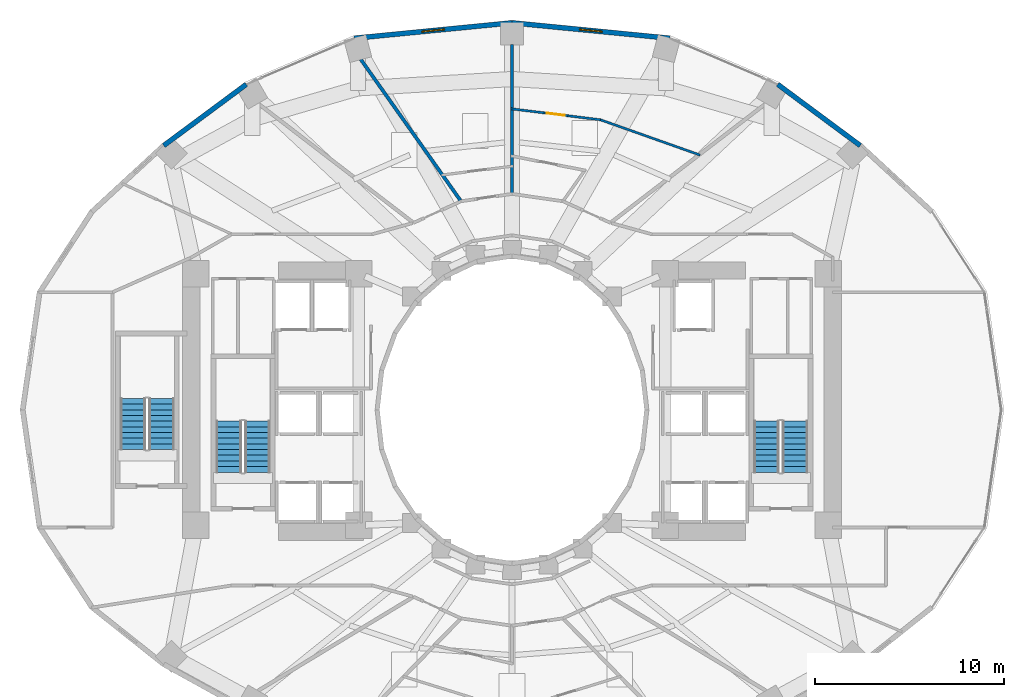
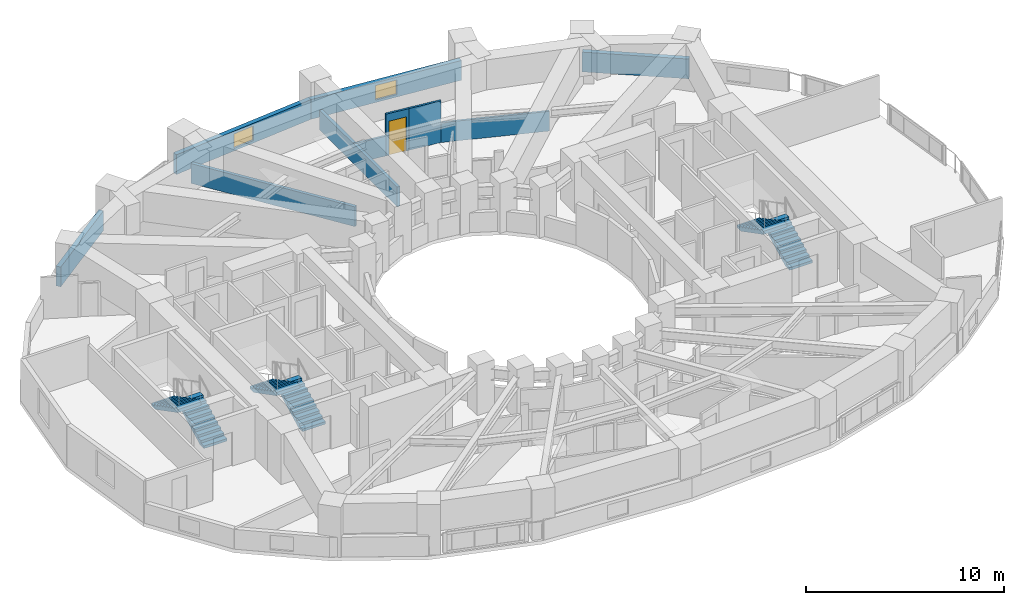
# One storey, part 18 of 22: 10 walls, 6 stair flights, 2 windows, 1 door, 3 openings, 3 elements without a shape of their own.
"""IFC4 building model written with IfcOpenShell, lengths in metres."""

from ifc_helpers import new_model, si_unit, direction, frame, frame_2d, origin, place, context, subcontext, project, spatial, polyline, rectangle, outline, extrude, material, layer, layer_set, type_object, element, fill, aggregate, save


model = new_model("IFC4")

# Units and contexts
model_context = context("Model", 3, precision=1e-05, world=origin(), true_north=direction((0.0, 1.0)))
body_context = subcontext(model_context, "Body", "Model", "MODEL_VIEW")
ifc_project = project(units=[si_unit("LENGTHUNIT", "METRE"), si_unit("AREAUNIT", "SQUARE_METRE"), si_unit("VOLUMEUNIT", "CUBIC_METRE"), si_unit("PLANEANGLEUNIT", "RADIAN"), si_unit("MASSUNIT", "GRAM", prefix="KILO")], contexts=[model_context])

# Site, building, storey
site_placement = place(None, origin())
site = spatial("IfcSite", under=ifc_project, at=site_placement, CompositionType="ELEMENT")
building_placement = place(site_placement, origin())
building = spatial("IfcBuilding", under=site, at=building_placement, Name="Solvane Sanctuary Tower", CompositionType="ELEMENT")
storey_placement = place(building_placement, frame((0.0, 0.0, 43.10009765625)))
storey = spatial("IfcBuildingStorey", under=building, at=storey_placement, Name="L12", CompositionType="ELEMENT", Elevation=43.10009765625)

# Wall
ifc_material_1 = material(Name="Precast concrete C40/50", Category="concrete")
ifc_layer_1 = layer(ifc_material_1, 0.260009765625, Name="Precast concrete C40/50")
ifc_layer_set_1 = layer_set([ifc_layer_1], Name="Precast concrete C40/50")
wall_type_1 = type_object("IfcWallType", Name="Wall W-EXT-250", PredefinedType="STANDARD", material=ifc_layer_set_1)
wall_1_placement = place(storey_placement, frame((50.404541015625, 36.964599609375, 0.0), z_axis=(0.0, 0.0, 1.0), x_axis=(-0.803477531792, 0.595335078679, 0.0)))
element("IfcWall", 1, at=wall_1_placement, inside=storey, type_object=wall_type_1, Name="L12 Ceramic-Printed Facade Wall 03", PredefinedType="STANDARD", context=body_context, shape_type="SweptSolid", body=[
    extrude(rectangle(XDim=5.4296875, YDim=0.260009765625, at=frame_2d((2.71484375, 0.0))), origin(), (0.0, 0.0, 1.0), 1.219970703125),
])

# Wall, opening, window
wall_2_placement = place(storey_placement, frame((40.331787109375, 42.63623046875, 0.0), z_axis=(0.0, 0.0, 1.0), x_axis=(-0.995247718352, 0.097375454379, 0.0)))
wall_2 = element("IfcWall", 2, at=wall_2_placement, inside=storey, type_object=wall_type_1, Name="L12 Ceramic-Printed Facade Wall 05", PredefinedType="STANDARD", context=body_context, shape_type="SweptSolid", body=[
    extrude(rectangle(XDim=8.37158203125, YDim=0.260009765625, at=frame_2d((4.185791015625, 0.0))), origin(), (0.0, 0.0, 1.0), 1.219970703125),
])
opening_1_placement = place(wall_2_placement, frame((3.585693359375, 0.0, 0.14990234375)))
opening_1 = element("IfcOpeningElement", 3, at=opening_1_placement, cuts=wall_2, Name="Opening WN-OPER-1200", PredefinedType="OPENING", context=body_context, shape_type="SweptSolid", body=[
    extrude(rectangle(XDim=1.199951171875, YDim=0.89990234375, at=frame_2d((0.60009765625, 0.449951171875))), frame((0.0, 0.139892578125, 0.0), z_axis=(0.0, -1.0, 0.0), x_axis=(1.0, 0.0, 0.0)), (0.0, 0.0, 1.0), 0.280029296875),
])
ifc_material_2 = material(Name="Dark Ceramic-Fritted Low-E Glass", Category="glass")
window_type = type_object("IfcWindowType", Name="Window WN-OPER-1200", PartitioningType="SINGLE_PANEL", PredefinedType="WINDOW", material=ifc_material_2)
window_1_placement = place(opening_1_placement, origin())
window_1 = element("IfcWindow", 4, at=window_1_placement, inside=storey, type_object=window_type, Name="L12 Operable Facade Window 05", OverallHeight=0.89990234375, OverallWidth=1.199951171875, PartitioningType="SINGLE_PANEL", PredefinedType="WINDOW", context=body_context, shape_type="SweptSolid", body=[
    extrude(rectangle(XDim=1.199951171875, YDim=0.89990234375, at=frame_2d((0.60009765625, 0.449951171875))), frame((0.0, 0.030029296875, 0.0), z_axis=(0.0, -1.0, 0.0), x_axis=(1.0, 0.0, 0.0)), (0.0, 0.0, 1.0), 0.06005859375),
])
fill(opening_1, window_1)

wall_3_placement = place(storey_placement, frame((32.0, 43.451416015625, 0.0), z_axis=(0.0, 0.0, 1.0), x_axis=(-0.995247718352, -0.097375454379, 0.0)))
wall_3 = element("IfcWall", 5, at=wall_3_placement, inside=storey, type_object=wall_type_1, Name="L12 Ceramic-Printed Facade Wall 06", PredefinedType="STANDARD", context=body_context, shape_type="SweptSolid", body=[
    extrude(rectangle(XDim=8.37158203125, YDim=0.260009765625, at=frame_2d((4.185791015625, 0.0))), origin(), (0.0, 0.0, 1.0), 1.219970703125),
])
opening_2_placement = place(wall_3_placement, frame((3.585693359375, 0.0, 0.14990234375)))
opening_2 = element("IfcOpeningElement", 6, at=opening_2_placement, cuts=wall_3, Name="Opening WN-OPER-1200", PredefinedType="OPENING", context=body_context, shape_type="SweptSolid", body=[
    extrude(rectangle(XDim=1.199951171875, YDim=0.89990234375, at=frame_2d((0.60009765625, 0.449951171875))), frame((0.0, 0.139892578125, 0.0), z_axis=(0.0, -1.0, 0.0), x_axis=(1.0, 0.0, 0.0)), (0.0, 0.0, 1.0), 0.280029296875),
])
window_2_placement = place(opening_2_placement, origin())
window_2 = element("IfcWindow", 7, at=window_2_placement, inside=storey, type_object=window_type, Name="L12 Operable Facade Window 06", OverallHeight=0.89990234375, OverallWidth=1.199951171875, PartitioningType="SINGLE_PANEL", PredefinedType="WINDOW", context=body_context, shape_type="SweptSolid", body=[
    extrude(rectangle(XDim=1.199951171875, YDim=0.89990234375, at=frame_2d((0.60009765625, 0.449951171875))), frame((0.0, 0.030029296875, 0.0), z_axis=(0.0, -1.0, 0.0), x_axis=(1.0, 0.0, 0.0)), (0.0, 0.0, 1.0), 0.06005859375),
])
fill(opening_2, window_2)

# Walls
wall_4_placement = place(storey_placement, frame((17.9580078125, 40.197021484375, 0.0), z_axis=(0.0, 0.0, 1.0), x_axis=(-0.803477531792, -0.595335078679, 0.0)))
element("IfcWall", 8, at=wall_4_placement, inside=storey, type_object=wall_type_1, Name="L12 Ceramic-Printed Facade Wall 08", PredefinedType="STANDARD", context=body_context, shape_type="SweptSolid", body=[
    extrude(rectangle(XDim=5.4296875, YDim=0.260009765625, at=frame_2d((2.71484375, 0.0))), origin(), (0.0, 0.0, 1.0), 1.219970703125),
])
ifc_material_3 = material(Name="Acoustic Gypsum Partition Board")
ifc_layer_2 = layer(ifc_material_3, 0.1201171875, Name="Acoustic Gypsum Partition Board")
ifc_layer_set_2 = layer_set([ifc_layer_2], Name="Acoustic Gypsum Partition Board")
wall_type_2 = type_object("IfcWallType", Name="Wall W-MOV-100", PredefinedType="MOVABLE", material=ifc_layer_set_2)
wall_5_placement = place(storey_placement, frame((41.93798828125, 36.46240234375, 0.0), z_axis=(0.0, 0.0, 1.0), x_axis=(-0.942654689305, 0.333769586287, 0.0)))
element("IfcWall", 9, at=wall_5_placement, inside=storey, type_object=wall_type_2, Name="L12 Suite Sitting Lounge Partition N1", PredefinedType="MOVABLE", context=body_context, shape_type="SweptSolid", body=[
    extrude(rectangle(XDim=5.59423828125, YDim=0.1201171875, at=frame_2d((2.797119140625, 0.0))), origin(), (0.0, 0.0, 1.0), 1.219970703125),
])
wall_6_placement = place(storey_placement, frame((36.683837890625, 38.3251953125, 0.0), z_axis=(0.0, 0.0, 1.0), x_axis=(-0.992516476292, 0.122110786945, 0.0)))
element("IfcWall", 10, at=wall_6_placement, inside=storey, type_object=wall_type_2, Name="L12 Suite Sitting Lounge Partition N1", PredefinedType="MOVABLE", context=body_context, shape_type="SweptSolid", body=[
    extrude(rectangle(XDim=1.74951171875, YDim=0.1201171875, at=frame_2d((0.874755859375, 0.0))), origin(), (0.0, 0.0, 1.0), 2.574951171875),
])

# Wall, opening, door
wall_7_placement = place(storey_placement, frame((34.947509765625, 38.538818359375, 0.0), z_axis=(0.0, 0.0, 1.0), x_axis=(-0.992544679326, 0.121881333855, 0.0)))
wall_7 = element("IfcWall", 11, at=wall_7_placement, inside=storey, type_object=wall_type_2, Name="L12 Suite Sitting Lounge Partition N1", PredefinedType="MOVABLE", context=body_context, shape_type="SweptSolid", body=[
    extrude(rectangle(XDim=1.27001953125, YDim=0.1201171875, at=frame_2d((0.635009765625, 0.0))), origin(), (0.0, 0.0, 1.0), 2.574951171875),
])
opening_3_placement = place(wall_7_placement, frame((0.159912109375, 0.0, 0.0)))
opening_3 = element("IfcOpeningElement", 12, at=opening_3_placement, cuts=wall_7, Name="Opening D-L12-18", PredefinedType="OPENING", context=body_context, shape_type="SweptSolid", body=[
    extrude(rectangle(XDim=0.949951171875, YDim=2.10009765625, at=frame_2d((0.47509765625, 1.050048828125))), frame((0.0, 0.070068359375, 0.0), z_axis=(0.0, -1.0, 0.0), x_axis=(1.0, 0.0, 0.0)), (0.0, 0.0, 1.0), 0.14013671875),
])
ifc_material_4 = material(Name="Engineered Tropical Hardwood", Category="wood")
door_type = type_object("IfcDoorType", Name="Door D-ROOM-950", OperationType="NOTDEFINED", PredefinedType="DOOR", material=ifc_material_4)
door_placement = place(opening_3_placement, origin())
door = element("IfcDoor", 13, at=door_placement, inside=storey, type_object=door_type, Name="L12 Suite Sitting Lounge Door N1", OperationType="SINGLE_SWING_RIGHT", OverallHeight=2.10009765625, OverallWidth=0.949951171875, PredefinedType="DOOR", context=body_context, shape_type="SweptSolid", body=[
    extrude(rectangle(XDim=0.949951171875, YDim=2.10009765625, at=frame_2d((0.47509765625, 1.050048828125))), frame((0.0, 0.02490234375, 0.0), z_axis=(0.0, -1.0, 0.0), x_axis=(1.0, 0.0, 0.0)), (0.0, 0.0, 1.0), 0.050048828125),
])
fill(opening_3, door)

# Walls
wall_8_placement = place(storey_placement, frame((33.68701171875, 38.693603515625, 0.0), z_axis=(0.0, 0.0, 1.0), x_axis=(-0.992518556774, 0.122093875605, 0.0)))
element("IfcWall", 14, at=wall_8_placement, inside=storey, type_object=wall_type_2, Name="L12 Suite Sitting Lounge Partition N1", PredefinedType="MOVABLE", context=body_context, shape_type="SweptSolid", body=[
    extrude(rectangle(XDim=1.749755859375, YDim=0.1201171875, at=frame_2d((0.875, 0.0))), origin(), (0.0, 0.0, 1.0), 1.219970703125),
])
ifc_layer_3 = layer(ifc_material_3, 0.179931640625, Name="Acoustic Gypsum Partition Board")
ifc_layer_set_3 = layer_set([ifc_layer_3], Name="Acoustic Gypsum Partition Board")
wall_type_3 = type_object("IfcWallType", Name="Wall W-UNIT-180", PredefinedType="PARTITIONING", material=ifc_layer_set_3)
wall_9_placement = place(storey_placement, frame((32.0, 34.465087890625, 0.0), z_axis=(0.0, 0.0, 1.0), x_axis=(0.0, 1.0, 0.0)))
element("IfcWall", 15, at=wall_9_placement, inside=storey, type_object=wall_type_3, Name="L12 Radial Compartment Wall 090", PredefinedType="PARTITIONING", context=body_context, shape_type="SweptSolid", body=[
    extrude(rectangle(XDim=7.8349609375, YDim=0.179931640625, at=frame_2d((3.91748046875, 0.0))), origin(), (0.0, 0.0, 1.0), 1.219970703125),
])
wall_10_placement = place(storey_placement, frame((29.27392578125, 34.066162109375, 0.0), z_axis=(0.0, 0.0, 1.0), x_axis=(-0.577036915124, 0.816718065543, 0.0)))
element("IfcWall", 16, at=wall_10_placement, inside=storey, type_object=wall_type_3, Name="L12 Radial Compartment Wall 105", PredefinedType="PARTITIONING", context=body_context, shape_type="SweptSolid", body=[
    extrude(rectangle(XDim=9.130859375, YDim=0.179931640625, at=frame_2d((4.5654296875, 0.0))), origin(), (0.0, 0.0, 1.0), 1.219970703125),
])

# Stair, stair flights
ifc_material_5 = material(Name="Concrete C45/55", Category="concrete")
stair_type = type_object("IfcStairType", Name="Stair ST-TOW", PredefinedType="HALF_TURN_STAIR", material=ifc_material_5)
stair_1_placement = place(storey_placement, origin())
stair_1 = element("IfcStair", 17, at=stair_1_placement, inside=storey, type_object=stair_type, Name="L12 Exit Stair ST-1 West Core", PredefinedType="HALF_TURN_STAIR")
stair_flight_type = type_object("IfcStairFlightType", Name="StairFlight SF-TOW", PredefinedType="STRAIGHT", material=ifc_material_5)
stair_flight_1_placement = place(storey_placement, frame((18.544921875, 19.699951171875, 0.0), z_axis=(0.0, 0.0, 1.0), x_axis=(0.0, 1.0, 0.0)))
stair_flight_1 = element("IfcStairFlight", 18, at=stair_flight_1_placement, type_object=stair_flight_type, Name="ST-1 flight 1", NumberOfRisers=10, NumberOfTreads=9, PredefinedType="STRAIGHT", RiserHeight=0.155, TreadLength=0.3, context=body_context, shape_type="SweptSolid", body=[
    extrude(outline(polyline([(0.0, 0.0), (0.0, 0.155029296875), (0.300048828125, 0.155029296875), (0.300048828125, 0.31005859375), (0.60009765625, 0.31005859375), (0.60009765625, 0.465087890625), (0.89990234375, 0.465087890625), (0.89990234375, 0.6201171875), (1.199951171875, 0.6201171875), (1.199951171875, 0.77490234375), (1.5, 0.77490234375), (1.5, 0.929931640625), (1.800048828125, 0.929931640625), (1.800048828125, 1.0849609375), (2.10009765625, 1.0849609375), (2.10009765625, 1.239990234375), (2.39990234375, 1.239990234375), (2.39990234375, 1.39501953125), (2.699951171875, 1.39501953125), (2.699951171875, 1.550048828125), (2.699951171875, 1.1923828125), (0.39208984375, 0.0), (0.0, 0.0)])), frame((0.0, 0.675048828125, 0.0), z_axis=(0.0, -1.0, 0.0), x_axis=(1.0, 0.0, 0.0)), (0.0, 0.0, 1.0), 1.35009765625),
])
stair_flight_2_placement = place(storey_placement, frame((17.034912109375, 22.39990234375, 1.5498046875), z_axis=(0.0, 0.0, 1.0), x_axis=(0.0, -1.0, 0.0)))
stair_flight_2 = element("IfcStairFlight", 19, at=stair_flight_2_placement, type_object=stair_flight_type, Name="ST-1 flight 2", NumberOfRisers=10, NumberOfTreads=9, PredefinedType="STRAIGHT", RiserHeight=0.155, TreadLength=0.3, context=body_context, shape_type="SweptSolid", body=[
    extrude(outline(polyline([(0.0, 0.0), (0.0, 0.155029296875), (0.300048828125, 0.155029296875), (0.300048828125, 0.31005859375), (0.60009765625, 0.31005859375), (0.60009765625, 0.465087890625), (0.89990234375, 0.465087890625), (0.89990234375, 0.6201171875), (1.199951171875, 0.6201171875), (1.199951171875, 0.77490234375), (1.5, 0.77490234375), (1.5, 0.929931640625), (1.800048828125, 0.929931640625), (1.800048828125, 1.0849609375), (2.10009765625, 1.0849609375), (2.10009765625, 1.239990234375), (2.39990234375, 1.239990234375), (2.39990234375, 1.39501953125), (2.699951171875, 1.39501953125), (2.699951171875, 1.550048828125), (2.699951171875, 1.1923828125), (0.39208984375, 0.0), (0.0, 0.0)])), frame((0.0, 0.675048828125, 0.0), z_axis=(0.0, -1.0, 0.0), x_axis=(1.0, 0.0, 0.0)), (0.0, 0.0, 1.0), 1.35009765625),
])
aggregate(stair_1, [stair_flight_1, stair_flight_2])

stair_2_placement = place(storey_placement, origin())
stair_2 = element("IfcStair", 20, at=stair_2_placement, inside=storey, type_object=stair_type, Name="L12 Exit Stair ST-2 East Core", PredefinedType="HALF_TURN_STAIR")
stair_flight_3_placement = place(storey_placement, frame((46.965087890625, 19.699951171875, 0.0), z_axis=(0.0, 0.0, 1.0), x_axis=(0.0, 1.0, 0.0)))
stair_flight_3 = element("IfcStairFlight", 21, at=stair_flight_3_placement, type_object=stair_flight_type, Name="ST-2 flight 1", NumberOfRisers=10, NumberOfTreads=9, PredefinedType="STRAIGHT", RiserHeight=0.155, TreadLength=0.3, context=body_context, shape_type="SweptSolid", body=[
    extrude(outline(polyline([(0.0, 0.0), (0.0, 0.155029296875), (0.300048828125, 0.155029296875), (0.300048828125, 0.31005859375), (0.60009765625, 0.31005859375), (0.60009765625, 0.465087890625), (0.89990234375, 0.465087890625), (0.89990234375, 0.6201171875), (1.199951171875, 0.6201171875), (1.199951171875, 0.77490234375), (1.5, 0.77490234375), (1.5, 0.929931640625), (1.800048828125, 0.929931640625), (1.800048828125, 1.0849609375), (2.10009765625, 1.0849609375), (2.10009765625, 1.239990234375), (2.39990234375, 1.239990234375), (2.39990234375, 1.39501953125), (2.699951171875, 1.39501953125), (2.699951171875, 1.550048828125), (2.699951171875, 1.1923828125), (0.39208984375, 0.0), (0.0, 0.0)])), frame((0.0, 0.675048828125, 0.0), z_axis=(0.0, -1.0, 0.0), x_axis=(1.0, 0.0, 0.0)), (0.0, 0.0, 1.0), 1.35009765625),
])
stair_flight_4_placement = place(storey_placement, frame((45.455078125, 22.39990234375, 1.5498046875), z_axis=(0.0, 0.0, 1.0), x_axis=(0.0, -1.0, 0.0)))
stair_flight_4 = element("IfcStairFlight", 22, at=stair_flight_4_placement, type_object=stair_flight_type, Name="ST-2 flight 2", NumberOfRisers=10, NumberOfTreads=9, PredefinedType="STRAIGHT", RiserHeight=0.155, TreadLength=0.3, context=body_context, shape_type="SweptSolid", body=[
    extrude(outline(polyline([(0.0, 0.0), (0.0, 0.155029296875), (0.300048828125, 0.155029296875), (0.300048828125, 0.31005859375), (0.60009765625, 0.31005859375), (0.60009765625, 0.465087890625), (0.89990234375, 0.465087890625), (0.89990234375, 0.6201171875), (1.199951171875, 0.6201171875), (1.199951171875, 0.77490234375), (1.5, 0.77490234375), (1.5, 0.929931640625), (1.800048828125, 0.929931640625), (1.800048828125, 1.0849609375), (2.10009765625, 1.0849609375), (2.10009765625, 1.239990234375), (2.39990234375, 1.239990234375), (2.39990234375, 1.39501953125), (2.699951171875, 1.39501953125), (2.699951171875, 1.550048828125), (2.699951171875, 1.1923828125), (0.39208984375, 0.0), (0.0, 0.0)])), frame((0.0, 0.675048828125, 0.0), z_axis=(0.0, -1.0, 0.0), x_axis=(1.0, 0.0, 0.0)), (0.0, 0.0, 1.0), 1.35009765625),
])
aggregate(stair_2, [stair_flight_3, stair_flight_4])

stair_3_placement = place(storey_placement, origin())
stair_3 = element("IfcStair", 23, at=stair_3_placement, inside=storey, type_object=stair_type, Name="L12 Exit Stair ST-3 Pilgrim Tower Stair", PredefinedType="HALF_TURN_STAIR")
stair_flight_5_placement = place(storey_placement, frame((13.485107421875, 20.89990234375, 0.0), z_axis=(0.0, 0.0, 1.0), x_axis=(0.0, 1.0, 0.0)))
stair_flight_5 = element("IfcStairFlight", 24, at=stair_flight_5_placement, type_object=stair_flight_type, Name="ST-3 flight 1", NumberOfRisers=10, NumberOfTreads=9, PredefinedType="STRAIGHT", RiserHeight=0.155, TreadLength=0.3, context=body_context, shape_type="SweptSolid", body=[
    extrude(outline(polyline([(0.0, 0.0), (0.0, 0.155029296875), (0.300048828125, 0.155029296875), (0.300048828125, 0.31005859375), (0.60009765625, 0.31005859375), (0.60009765625, 0.465087890625), (0.89990234375, 0.465087890625), (0.89990234375, 0.6201171875), (1.199951171875, 0.6201171875), (1.199951171875, 0.77490234375), (1.5, 0.77490234375), (1.5, 0.929931640625), (1.800048828125, 0.929931640625), (1.800048828125, 1.0849609375), (2.10009765625, 1.0849609375), (2.10009765625, 1.239990234375), (2.39990234375, 1.239990234375), (2.39990234375, 1.39501953125), (2.699951171875, 1.39501953125), (2.699951171875, 1.550048828125), (2.699951171875, 1.1923828125), (0.39208984375, 0.0), (0.0, 0.0)])), frame((0.0, 0.675048828125, 0.0), z_axis=(0.0, -1.0, 0.0), x_axis=(1.0, 0.0, 0.0)), (0.0, 0.0, 1.0), 1.35009765625),
])
stair_flight_6_placement = place(storey_placement, frame((11.97509765625, 23.60009765625, 1.5498046875), z_axis=(0.0, 0.0, 1.0), x_axis=(0.0, -1.0, 0.0)))
stair_flight_6 = element("IfcStairFlight", 25, at=stair_flight_6_placement, type_object=stair_flight_type, Name="ST-3 flight 2", NumberOfRisers=10, NumberOfTreads=9, PredefinedType="STRAIGHT", RiserHeight=0.155, TreadLength=0.3, context=body_context, shape_type="SweptSolid", body=[
    extrude(outline(polyline([(0.0, 0.0), (0.0, 0.155029296875), (0.300048828125, 0.155029296875), (0.300048828125, 0.31005859375), (0.60009765625, 0.31005859375), (0.60009765625, 0.465087890625), (0.89990234375, 0.465087890625), (0.89990234375, 0.6201171875), (1.199951171875, 0.6201171875), (1.199951171875, 0.77490234375), (1.5, 0.77490234375), (1.5, 0.929931640625), (1.800048828125, 0.929931640625), (1.800048828125, 1.0849609375), (2.10009765625, 1.0849609375), (2.10009765625, 1.239990234375), (2.39990234375, 1.239990234375), (2.39990234375, 1.39501953125), (2.699951171875, 1.39501953125), (2.699951171875, 1.550048828125), (2.699951171875, 1.1923828125), (0.39208984375, 0.0), (0.0, 0.0)])), frame((0.0, 0.675048828125, 0.0), z_axis=(0.0, -1.0, 0.0), x_axis=(1.0, 0.0, 0.0)), (0.0, 0.0, 1.0), 1.35009765625),
])
aggregate(stair_3, [stair_flight_5, stair_flight_6])

save(model, "model.ifc")
